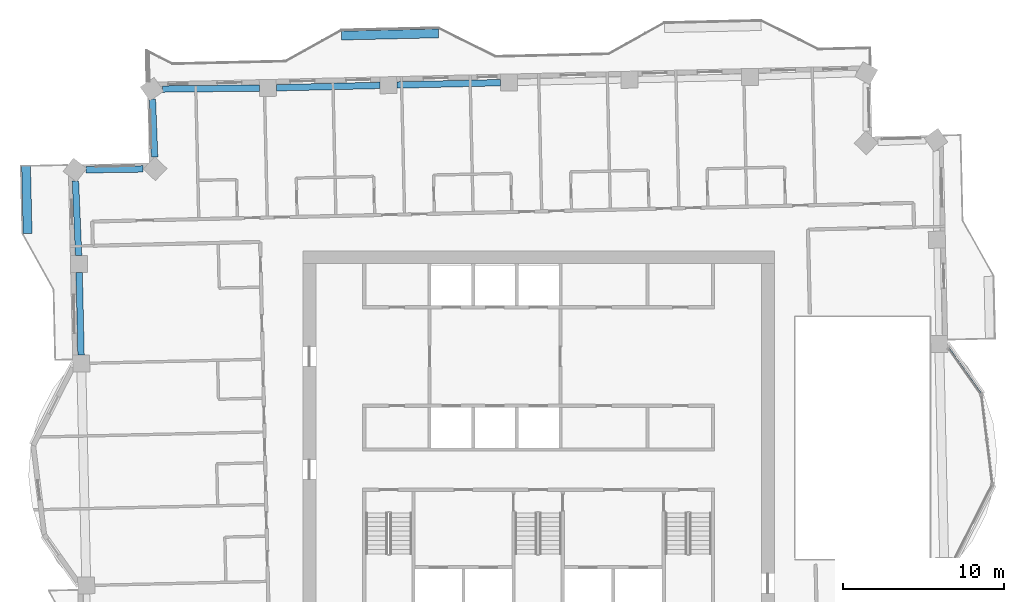
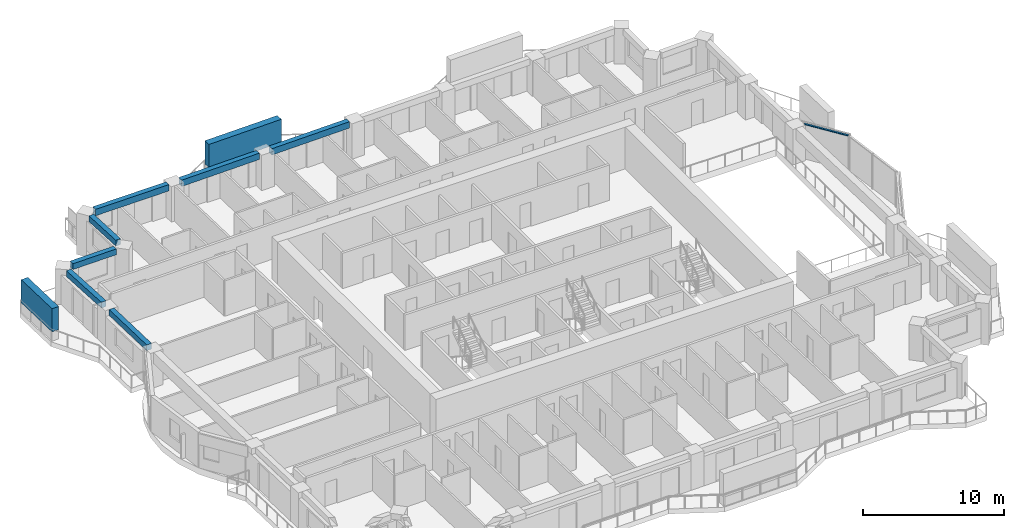
# One storey, part 3 of 17: 7 beams, 3 members, 1 element without a shape of its own.
"""IFC4 building model written with IfcOpenShell, lengths in metres."""

from ifc_helpers import new_model, si_unit, direction, frame, origin, origin_2d, place, context, subcontext, project, spatial, rectangle, extrude, material, material_profile, profile_set, type_object, element, aggregate, save


model = new_model("IFC4")

# Units and contexts
model_context = context("Model", 3, precision=1e-05, world=origin(), true_north=direction((0.0, 1.0)))
body_context = subcontext(model_context, "Body", "Model", "MODEL_VIEW")
ifc_project = project(units=[si_unit("LENGTHUNIT", "METRE"), si_unit("AREAUNIT", "SQUARE_METRE"), si_unit("VOLUMEUNIT", "CUBIC_METRE"), si_unit("PLANEANGLEUNIT", "RADIAN"), si_unit("MASSUNIT", "GRAM", prefix="KILO")], contexts=[model_context])

# Site, building, storey
site_placement = place(None, origin())
site = spatial("IfcSite", under=ifc_project, at=site_placement, CompositionType="ELEMENT")
building_placement = place(site_placement, origin())
building = spatial("IfcBuilding", under=site, at=building_placement, Name="Mangrove Gate Tower", CompositionType="ELEMENT")
storey_placement = place(building_placement, frame((0.0, 0.0, 241.89990234375)))
storey = spatial("IfcBuildingStorey", under=building, at=storey_placement, Name="L61", CompositionType="ELEMENT", Elevation=241.89990234375)

# Curtain wall, member
ifc_material_1 = material(Name="Aluminium and glass curtain wall", Category="aluminium")
curtain_wall_type = type_object("IfcCurtainWallType", Name="Atrium garden-court glazing wall", PredefinedType="NOTDEFINED", material=ifc_material_1)
curtain_wall_placement = place(storey_placement, origin())
curtain_wall = element("IfcCurtainWall", 1, at=curtain_wall_placement, inside=storey, type_object=curtain_wall_type, Name="Atrium garden-court glazing E1f3", PredefinedType="NOTDEFINED")
ifc_material_2 = material(Name="Aluminium alloy 6063-T6", Category="aluminium")
ifc_material_profile_1 = material_profile(ifc_material_2, rectangle(XDim=0.070068359375, YDim=0.14990234375, at=origin_2d()))
ifc_profile_set_1 = profile_set([ifc_material_profile_1], Name="Aluminium alloy 6063-T6")
member_type_1 = type_object("IfcMemberType", Name="Atrium garden-court glazing transom 70x150", PredefinedType="USERDEFINED", material=ifc_profile_set_1)
member_1_placement = place(storey_placement, frame((27.379150390625, 2.739013671875, 3.01513671875), z_axis=(-0.578122045982, 0.815950304829, 0.0), x_axis=(0.0, 0.0, 1.0)))
member_1 = element("IfcMember", 2, at=member_1_placement, type_object=member_type_1, Name="CWA transom 1.2", ObjectType="TRANSOM", PredefinedType="USERDEFINED", context=body_context, shape_type="SweptSolid", body=[
    extrude(rectangle(XDim=0.070068359375, YDim=0.14990234375, at=origin_2d()), origin(), (0.0, 0.0, 1.0), 3.4287109375),
])
aggregate(curtain_wall, [member_1])

# Members
ifc_material_3 = material(Name="Planting on aluminium trellis", Category="aluminium")
ifc_material_profile_2 = material_profile(ifc_material_3, rectangle(XDim=0.550048828125, YDim=2.0, at=origin_2d()))
ifc_profile_set_2 = profile_set([ifc_material_profile_2], Name="Planting on aluminium trellis")
member_type_2 = type_object("IfcMemberType", Name="Balcony greenery screen 550x2000", PredefinedType="USERDEFINED", material=ifc_profile_set_2)
member_2_placement = place(storey_placement, frame((-12.2060546875, 24.930908203125, 1.800048828125), z_axis=(0.999743094499, 0.022665943652, 0.0), x_axis=(-0.022665943652, 0.999743094499, 0.0)))
element("IfcMember", 3, at=member_2_placement, inside=storey, type_object=member_type_2, Name="GREEN SCREEN L61 N1.1", ObjectType="PLANTING", PredefinedType="USERDEFINED", context=body_context, shape_type="SweptSolid", body=[
    extrude(rectangle(XDim=0.550048828125, YDim=2.0, at=origin_2d()), origin(), (0.0, 0.0, 1.0), 5.99951171875),
])
member_3_placement = place(storey_placement, frame((-31.652099609375, 12.672119140625, 1.800048828125), z_axis=(-0.022611811187, 0.999744320311, 0.0), x_axis=(-0.999744320311, -0.022611811187, 0.0)))
element("IfcMember", 4, at=member_3_placement, inside=storey, type_object=member_type_2, Name="GREEN SCREEN L61 W0.1", ObjectType="PLANTING", PredefinedType="USERDEFINED", context=body_context, shape_type="SweptSolid", body=[
    extrude(rectangle(XDim=0.550048828125, YDim=2.0, at=origin_2d()), origin(), (0.0, 0.0, 1.0), 4.199951171875),
])

# Beams
ifc_material_4 = material(Name="Concrete C50/60", Category="concrete")
ifc_material_profile_3 = material_profile(ifc_material_4, rectangle(XDim=0.39990234375, YDim=0.5, at=origin_2d()))
ifc_profile_set_3 = profile_set([ifc_material_profile_3], Name="Concrete C50/60")
beam_type_1 = type_object("IfcBeamType", Name="Edge beam RC 400x500 C50/60", PredefinedType="BEAM", material=ifc_profile_set_3)
beam_1_placement = place(storey_placement, frame((-23.9208984375, 20.98779296875, 2.800048828125), z_axis=(0.038611273731, -0.999254306741, 0.0), x_axis=(0.999254306741, 0.038611273731, 0.0)))
element("IfcBeam", 5, at=beam_1_placement, inside=storey, type_object=beam_type_1, Name="Edge beam L61 25", PredefinedType="BEAM", context=body_context, shape_type="SweptSolid", body=[
    extrude(rectangle(XDim=0.39990234375, YDim=0.5, at=origin_2d()), origin(), (0.0, 0.0, 1.0), 3.578857421875),
])
beam_2_placement = place(storey_placement, frame((-24.490966796875, 16.67041015625, 2.800048828125), z_axis=(-0.999893055651, -0.014624543079, 0.0), x_axis=(0.014624543079, -0.999893055651, 0.0)))
element("IfcBeam", 6, at=beam_2_placement, inside=storey, type_object=beam_type_1, Name="Edge beam L61 26", PredefinedType="BEAM", context=body_context, shape_type="SweptSolid", body=[
    extrude(rectangle(XDim=0.39990234375, YDim=0.5, at=origin_2d()), origin(), (0.0, 0.0, 1.0), 3.555908203125),
])
beam_3_placement = place(storey_placement, frame((-28.6884765625, 15.921875, 2.800048828125), z_axis=(0.0427997553, -0.999083670643, 0.0), x_axis=(0.999083670643, 0.0427997553, 0.0)))
element("IfcBeam", 7, at=beam_3_placement, inside=storey, type_object=beam_type_1, Name="Edge beam L61 27", PredefinedType="BEAM", context=body_context, shape_type="SweptSolid", body=[
    extrude(rectangle(XDim=0.39990234375, YDim=0.5, at=origin_2d()), origin(), (0.0, 0.0, 1.0), 4.620361328125),
])
beam_4_placement = place(storey_placement, frame((-28.456298828125, 10.256103515625, 2.800048828125), z_axis=(0.022734424462, -0.999741539571, 0.0), x_axis=(0.999741539571, 0.022734424462, 0.0)))
element("IfcBeam", 8, at=beam_4_placement, inside=storey, type_object=beam_type_1, Name="Edge beam L61 28", PredefinedType="BEAM", context=body_context, shape_type="SweptSolid", body=[
    extrude(rectangle(XDim=0.39990234375, YDim=0.5, at=origin_2d()), origin(), (0.0, 0.0, 1.0), 5.111572265625),
])
ifc_material_5 = material(Name="Concrete C50/60", Category="concrete")
ifc_material_profile_4 = material_profile(ifc_material_5, rectangle(XDim=0.39990234375, YDim=0.550048828125, at=origin_2d()))
ifc_profile_set_4 = profile_set([ifc_material_profile_4], Name="Concrete C50/60")
beam_type_2 = type_object("IfcBeamType", Name="Edge beam RC 400x550 C50/60", PredefinedType="BEAM", material=ifc_profile_set_4)
for number, where, z_axis, x_axis, name in (
    (9, (-2.362060546875, 22.01416015625, 2.775146484375), (-0.999741226382, -0.022748192739, 0.0), (0.022748192739, -0.999741226382, 0.0), "Edge beam L61 22"),
    (10, (-9.827880859375, 21.84423828125, 2.775146484375), (-0.999743815265, -0.022634129983, 0.0), (0.022634129983, -0.999743815265, 0.0), "Edge beam L61 23"),
):
    element("IfcBeam", number, at=place(storey_placement, frame(where, z_axis=z_axis, x_axis=x_axis)), inside=storey, type_object=beam_type_2, Name=name, PredefinedType="BEAM", context=body_context, shape_type="SweptSolid", body=[
        extrude(rectangle(XDim=0.39990234375, YDim=0.550048828125, at=origin_2d()), origin(), (0.0, 0.0, 1.0), 6.41796875),
    ])
beam_5_placement = place(storey_placement, frame((-17.294189453125, 21.681640625, 2.775146484375), z_axis=(-0.999946001693, -0.010392001641, 0.0), x_axis=(0.010392001641, -0.999946001693, 0.0)))
element("IfcBeam", 11, at=beam_5_placement, inside=storey, type_object=beam_type_2, Name="Edge beam L61 24", PredefinedType="BEAM", context=body_context, shape_type="SweptSolid", body=[
    extrude(rectangle(XDim=0.39990234375, YDim=0.550048828125, at=origin_2d()), origin(), (0.0, 0.0, 1.0), 6.01416015625),
])

save(model, "model.ifc")
